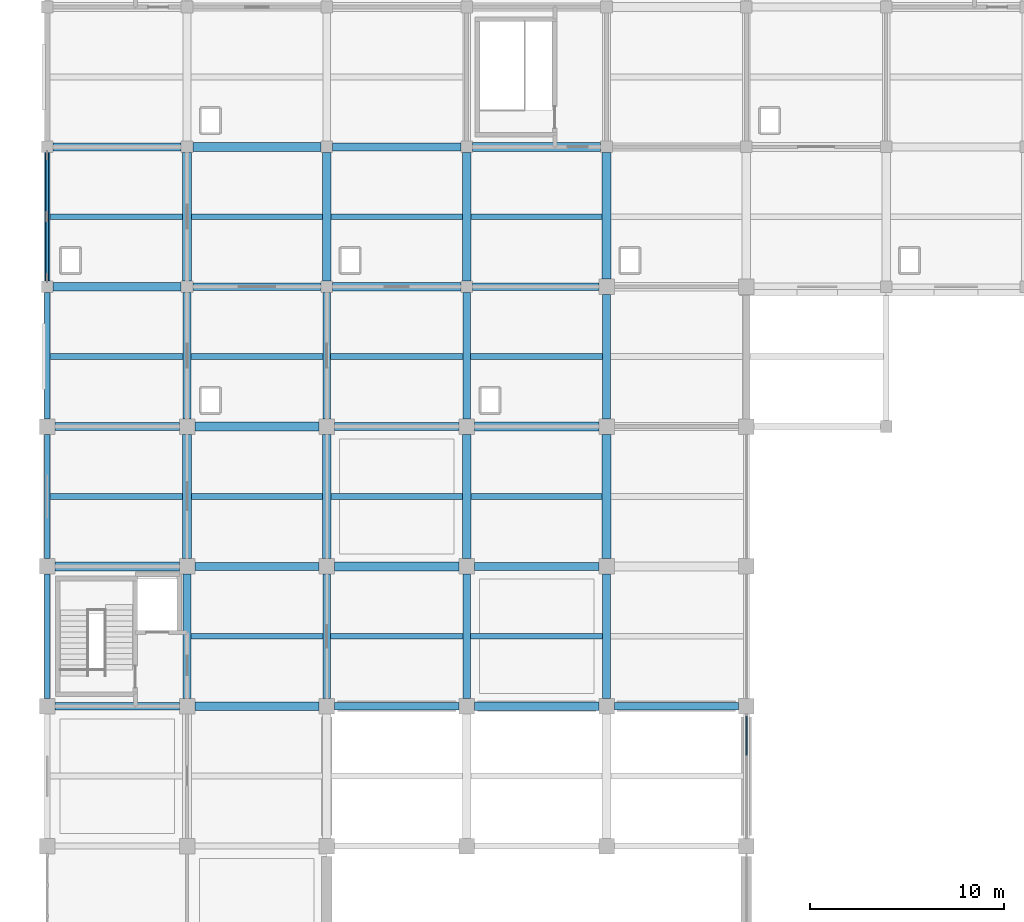
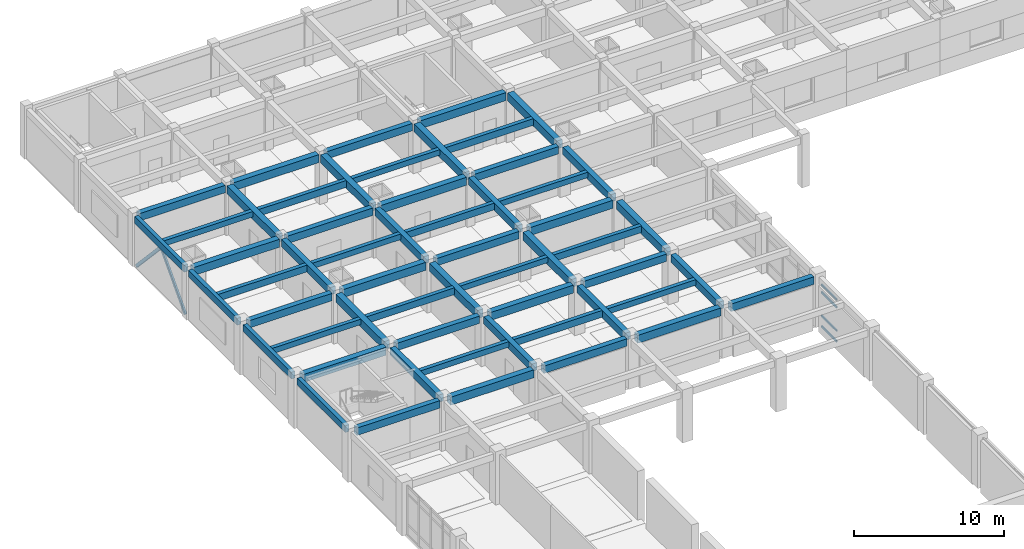
# One storey, part 12 of 70: 56 beams, 6 members, 1 element without a shape of its own.
"""IFC4 building model written with IfcOpenShell, lengths in metres."""

from ifc_helpers import new_model, si_unit, direction, frame, origin, origin_2d, place, context, subcontext, project, spatial, rectangle, hollow_rectangle, extrude, material, layer, layer_set, material_profile, profile_set, type_object, element, aggregate, save


model = new_model("IFC4")

# Units and contexts
model_context = context("Model", 3, precision=1e-05, world=origin(), true_north=direction((0.0, 1.0)))
body_context = subcontext(model_context, "Body", "Model", "MODEL_VIEW")
ifc_project = project(units=[si_unit("LENGTHUNIT", "METRE"), si_unit("AREAUNIT", "SQUARE_METRE"), si_unit("VOLUMEUNIT", "CUBIC_METRE"), si_unit("PLANEANGLEUNIT", "RADIAN"), si_unit("MASSUNIT", "GRAM", prefix="KILO")], contexts=[model_context])

# Site, building, storey
site_placement = place(None, origin())
site = spatial("IfcSite", under=ifc_project, at=site_placement, CompositionType="ELEMENT")
building_placement = place(site_placement, origin())
building = spatial("IfcBuilding", under=site, at=building_placement, Name="Kavelor Marine Aquarium", CompositionType="ELEMENT")
storey_placement = place(building_placement, frame((0.0, 0.0, 9.179931640625)))
storey = spatial("IfcBuildingStorey", under=building, at=storey_placement, Name="L02", CompositionType="ELEMENT", Elevation=9.179931640625)

# Beams
ifc_material_1 = material(Name="Concrete C40/50", Category="concrete")
ifc_material_profile_1 = material_profile(ifc_material_1, rectangle(XDim=0.449951171875, YDim=0.64990234375, at=origin_2d()), Name="RC-BM 450x650")
ifc_profile_set_1 = profile_set([ifc_material_profile_1], Name="Concrete C40/50")
beam_type_1 = type_object("IfcBeamType", Name="BM-B3", PredefinedType="BEAM", material=ifc_profile_set_1)
beam_1_placement = place(storey_placement, frame((3.60009765625, 74.800048828125, 3.695068359375), z_axis=(1.0, 0.0, 0.0), x_axis=(0.0, 1.0, 0.0)))
element("IfcBeam", 1, at=beam_1_placement, inside=storey, type_object=beam_type_1, Name="bm:x:L02:L03:00_10", PredefinedType="BEAM", context=body_context, shape_type="SweptSolid", body=[
    extrude(rectangle(XDim=0.449951171875, YDim=0.64990234375, at=origin_2d()), origin(), (0.0, 0.0, 1.0), 6.39990234375),
])
beam_2_placement = place(storey_placement, frame((3.5, 89.199951171875, 3.715087890625), z_axis=(1.0, 0.0, 0.0), x_axis=(0.0, 1.0, 0.0)))
element("IfcBeam", 2, at=beam_2_placement, inside=storey, type_object=beam_type_1, Name="bm:x:L02:L03:00_12", PredefinedType="BEAM", context=body_context, shape_type="SweptSolid", body=[
    extrude(rectangle(XDim=0.449951171875, YDim=0.64990234375, at=origin_2d()), origin(), (0.0, 0.0, 1.0), 6.60009765625),
])
for number, where, z_axis, x_axis, name in (
    (3, (10.800048828125, 67.60009765625, 3.695068359375), (1.0, 0.0, 0.0), (0.0, 1.0, 0.0), "bm:x:L02:L03:01_09"),
    (4, (10.800048828125, 82.0, 3.715087890625), (1.0, 0.0, 0.0), (0.0, 1.0, 0.0), "bm:x:L02:L03:01_11"),
):
    element("IfcBeam", number, at=place(storey_placement, frame(where, z_axis=z_axis, x_axis=x_axis)), inside=storey, type_object=beam_type_1, Name=name, PredefinedType="BEAM", context=body_context, shape_type="SweptSolid", body=[
        extrude(rectangle(XDim=0.449951171875, YDim=0.64990234375, at=origin_2d()), origin(), (0.0, 0.0, 1.0), 6.39990234375),
    ])
beam_3_placement = place(storey_placement, frame((10.699951171875, 96.39990234375, 3.715087890625), z_axis=(1.0, 0.0, 0.0), x_axis=(0.0, 1.0, 0.0)))
element("IfcBeam", 5, at=beam_3_placement, inside=storey, type_object=beam_type_1, Name="bm:x:L02:L03:01_13", PredefinedType="BEAM", context=body_context, shape_type="SweptSolid", body=[
    extrude(rectangle(XDim=0.449951171875, YDim=0.64990234375, at=origin_2d()), origin(), (0.0, 0.0, 1.0), 6.60009765625),
])
beam_4_placement = place(storey_placement, frame((18.0, 74.800048828125, 3.695068359375), z_axis=(1.0, 0.0, 0.0), x_axis=(0.0, 1.0, 0.0)))
element("IfcBeam", 6, at=beam_4_placement, inside=storey, type_object=beam_type_1, Name="bm:x:L02:L03:02_10", PredefinedType="BEAM", context=body_context, shape_type="SweptSolid", body=[
    extrude(rectangle(XDim=0.449951171875, YDim=0.64990234375, at=origin_2d()), origin(), (0.0, 0.0, 1.0), 6.39990234375),
])
beam_5_placement = place(storey_placement, frame((17.89990234375, 89.199951171875, 3.715087890625), z_axis=(1.0, 0.0, 0.0), x_axis=(0.0, 1.0, 0.0)))
element("IfcBeam", 7, at=beam_5_placement, inside=storey, type_object=beam_type_1, Name="bm:x:L02:L03:02_12", PredefinedType="BEAM", context=body_context, shape_type="SweptSolid", body=[
    extrude(rectangle(XDim=0.449951171875, YDim=0.64990234375, at=origin_2d()), origin(), (0.0, 0.0, 1.0), 6.60009765625),
])
for number, where, z_axis, x_axis, name in (
    (8, (25.199951171875, 67.60009765625, 3.695068359375), (1.0, 0.0, 0.0), (0.0, 1.0, 0.0), "bm:x:L02:L03:03_09"),
    (9, (25.199951171875, 82.0, 3.715087890625), (1.0, 0.0, 0.0), (0.0, 1.0, 0.0), "bm:x:L02:L03:03_11"),
):
    element("IfcBeam", number, at=place(storey_placement, frame(where, z_axis=z_axis, x_axis=x_axis)), inside=storey, type_object=beam_type_1, Name=name, PredefinedType="BEAM", context=body_context, shape_type="SweptSolid", body=[
        extrude(rectangle(XDim=0.449951171875, YDim=0.64990234375, at=origin_2d()), origin(), (0.0, 0.0, 1.0), 6.400146484375),
    ])
beam_6_placement = place(storey_placement, frame((25.10009765625, 96.39990234375, 3.715087890625), z_axis=(1.0, 0.0, 0.0), x_axis=(0.0, 1.0, 0.0)))
element("IfcBeam", 10, at=beam_6_placement, inside=storey, type_object=beam_type_1, Name="bm:x:L02:L03:03_13", PredefinedType="BEAM", context=body_context, shape_type="SweptSolid", body=[
    extrude(rectangle(XDim=0.449951171875, YDim=0.64990234375, at=origin_2d()), origin(), (0.0, 0.0, 1.0), 6.599853515625),
])
beam_7_placement = place(storey_placement, frame((10.39990234375, 75.199951171875, 3.695068359375), z_axis=(0.0, 1.0, 0.0), x_axis=(-1.0, 0.0, 0.0)))
element("IfcBeam", 11, at=beam_7_placement, inside=storey, type_object=beam_type_1, Name="bm:y:L02:L03:01_10", PredefinedType="BEAM", context=body_context, shape_type="SweptSolid", body=[
    extrude(rectangle(XDim=0.449951171875, YDim=0.64990234375, at=origin_2d()), origin(), (0.0, 0.0, 1.0), 6.400146484375),
])
beam_8_placement = place(storey_placement, frame((10.39990234375, 89.5, 3.715087890625), z_axis=(0.0, 1.0, 0.0), x_axis=(-1.0, 0.0, 0.0)))
element("IfcBeam", 12, at=beam_8_placement, inside=storey, type_object=beam_type_1, Name="bm:y:L02:L03:01_12", PredefinedType="BEAM", context=body_context, shape_type="SweptSolid", body=[
    extrude(rectangle(XDim=0.449951171875, YDim=0.64990234375, at=origin_2d()), origin(), (0.0, 0.0, 1.0), 6.60009765625),
])
beam_9_placement = place(storey_placement, frame((17.60009765625, 75.199951171875, 3.695068359375), z_axis=(0.0, 1.0, 0.0), x_axis=(-1.0, 0.0, 0.0)))
element("IfcBeam", 13, at=beam_9_placement, inside=storey, type_object=beam_type_1, Name="bm:y:L02:L03:02_10", PredefinedType="BEAM", context=body_context, shape_type="SweptSolid", body=[
    extrude(rectangle(XDim=0.449951171875, YDim=0.64990234375, at=origin_2d()), origin(), (0.0, 0.0, 1.0), 6.400146484375),
])
beam_10_placement = place(storey_placement, frame((17.60009765625, 89.5, 3.715087890625), z_axis=(0.0, 1.0, 0.0), x_axis=(-1.0, 0.0, 0.0)))
element("IfcBeam", 14, at=beam_10_placement, inside=storey, type_object=beam_type_1, Name="bm:y:L02:L03:02_12", PredefinedType="BEAM", context=body_context, shape_type="SweptSolid", body=[
    extrude(rectangle(XDim=0.449951171875, YDim=0.64990234375, at=origin_2d()), origin(), (0.0, 0.0, 1.0), 6.60009765625),
])
beam_11_placement = place(storey_placement, frame((24.800048828125, 75.199951171875, 3.695068359375), z_axis=(0.0, 1.0, 0.0), x_axis=(-1.0, 0.0, 0.0)))
element("IfcBeam", 15, at=beam_11_placement, inside=storey, type_object=beam_type_1, Name="bm:y:L02:L03:03_10", PredefinedType="BEAM", context=body_context, shape_type="SweptSolid", body=[
    extrude(rectangle(XDim=0.449951171875, YDim=0.64990234375, at=origin_2d()), origin(), (0.0, 0.0, 1.0), 6.400146484375),
])
beam_12_placement = place(storey_placement, frame((24.800048828125, 89.5, 3.715087890625), z_axis=(0.0, 1.0, 0.0), x_axis=(-1.0, 0.0, 0.0)))
element("IfcBeam", 16, at=beam_12_placement, inside=storey, type_object=beam_type_1, Name="bm:y:L02:L03:03_12", PredefinedType="BEAM", context=body_context, shape_type="SweptSolid", body=[
    extrude(rectangle(XDim=0.449951171875, YDim=0.64990234375, at=origin_2d()), origin(), (0.0, 0.0, 1.0), 6.60009765625),
])
beam_13_placement = place(storey_placement, frame((32.0, 75.199951171875, 3.695068359375), z_axis=(0.0, 1.0, 0.0), x_axis=(-1.0, 0.0, 0.0)))
element("IfcBeam", 17, at=beam_13_placement, inside=storey, type_object=beam_type_1, Name="bm:y:L02:L03:04_10", PredefinedType="BEAM", context=body_context, shape_type="SweptSolid", body=[
    extrude(rectangle(XDim=0.449951171875, YDim=0.64990234375, at=origin_2d()), origin(), (0.0, 0.0, 1.0), 6.400146484375),
])
beam_14_placement = place(storey_placement, frame((32.0, 89.60009765625, 3.715087890625), z_axis=(0.0, 1.0, 0.0), x_axis=(-1.0, 0.0, 0.0)))
element("IfcBeam", 18, at=beam_14_placement, inside=storey, type_object=beam_type_1, Name="bm:y:L02:L03:04_12", PredefinedType="BEAM", context=body_context, shape_type="SweptSolid", body=[
    extrude(rectangle(XDim=0.449951171875, YDim=0.64990234375, at=origin_2d()), origin(), (0.0, 0.0, 1.0), 6.5),
])
ifc_material_2 = material(Name="Concrete C40/50", Category="concrete")
ifc_material_profile_2 = material_profile(ifc_material_2, rectangle(XDim=0.39990234375, YDim=0.60009765625, at=origin_2d()), Name="RC-BM 400x600")
ifc_profile_set_2 = profile_set([ifc_material_profile_2], Name="Concrete C40/50")
beam_type_2 = type_object("IfcBeamType", Name="BM-B4", PredefinedType="BEAM", material=ifc_profile_set_2)
for number, where, z_axis, x_axis, name in (
    (19, (3.60009765625, 67.60009765625, 3.719970703125), (1.0, 0.0, 0.0), (0.0, 1.0, 0.0), "bm:x:L02:L03:00_09"),
    (20, (3.60009765625, 82.0, 3.719970703125), (1.0, 0.0, 0.0), (0.0, 1.0, 0.0), "bm:x:L02:L03:00_11"),
):
    element("IfcBeam", number, at=place(storey_placement, frame(where, z_axis=z_axis, x_axis=x_axis)), inside=storey, type_object=beam_type_2, Name=name, PredefinedType="BEAM", context=body_context, shape_type="SweptSolid", body=[
        extrude(rectangle(XDim=0.39990234375, YDim=0.60009765625, at=origin_2d()), origin(), (0.0, 0.0, 1.0), 6.39990234375),
    ])
beam_15_placement = place(storey_placement, frame((3.5, 96.39990234375, 3.739990234375), z_axis=(1.0, 0.0, 0.0), x_axis=(0.0, 1.0, 0.0)))
element("IfcBeam", 21, at=beam_15_placement, inside=storey, type_object=beam_type_2, Name="bm:x:L02:L03:00_13", PredefinedType="BEAM", context=body_context, shape_type="SweptSolid", body=[
    extrude(rectangle(XDim=0.39990234375, YDim=0.60009765625, at=origin_2d()), origin(), (0.0, 0.0, 1.0), 6.60009765625),
])
beam_16_placement = place(storey_placement, frame((10.800048828125, 74.800048828125, 3.719970703125), z_axis=(1.0, 0.0, 0.0), x_axis=(0.0, 1.0, 0.0)))
element("IfcBeam", 22, at=beam_16_placement, inside=storey, type_object=beam_type_2, Name="bm:x:L02:L03:01_10", PredefinedType="BEAM", context=body_context, shape_type="SweptSolid", body=[
    extrude(rectangle(XDim=0.39990234375, YDim=0.60009765625, at=origin_2d()), origin(), (0.0, 0.0, 1.0), 6.39990234375),
])
beam_17_placement = place(storey_placement, frame((10.699951171875, 89.199951171875, 3.739990234375), z_axis=(1.0, 0.0, 0.0), x_axis=(0.0, 1.0, 0.0)))
element("IfcBeam", 23, at=beam_17_placement, inside=storey, type_object=beam_type_2, Name="bm:x:L02:L03:01_12", PredefinedType="BEAM", context=body_context, shape_type="SweptSolid", body=[
    extrude(rectangle(XDim=0.39990234375, YDim=0.60009765625, at=origin_2d()), origin(), (0.0, 0.0, 1.0), 6.60009765625),
])
for number, where, z_axis, x_axis, name in (
    (24, (18.0, 67.60009765625, 3.719970703125), (1.0, 0.0, 0.0), (0.0, 1.0, 0.0), "bm:x:L02:L03:02_09"),
    (25, (18.0, 82.0, 3.719970703125), (1.0, 0.0, 0.0), (0.0, 1.0, 0.0), "bm:x:L02:L03:02_11"),
):
    element("IfcBeam", number, at=place(storey_placement, frame(where, z_axis=z_axis, x_axis=x_axis)), inside=storey, type_object=beam_type_2, Name=name, PredefinedType="BEAM", context=body_context, shape_type="SweptSolid", body=[
        extrude(rectangle(XDim=0.39990234375, YDim=0.60009765625, at=origin_2d()), origin(), (0.0, 0.0, 1.0), 6.39990234375),
    ])
beam_18_placement = place(storey_placement, frame((17.89990234375, 96.39990234375, 3.739990234375), z_axis=(1.0, 0.0, 0.0), x_axis=(0.0, 1.0, 0.0)))
element("IfcBeam", 26, at=beam_18_placement, inside=storey, type_object=beam_type_2, Name="bm:x:L02:L03:02_13", PredefinedType="BEAM", context=body_context, shape_type="SweptSolid", body=[
    extrude(rectangle(XDim=0.39990234375, YDim=0.60009765625, at=origin_2d()), origin(), (0.0, 0.0, 1.0), 6.60009765625),
])
beam_19_placement = place(storey_placement, frame((25.199951171875, 74.800048828125, 3.719970703125), z_axis=(1.0, 0.0, 0.0), x_axis=(0.0, 1.0, 0.0)))
element("IfcBeam", 27, at=beam_19_placement, inside=storey, type_object=beam_type_2, Name="bm:x:L02:L03:03_10", PredefinedType="BEAM", context=body_context, shape_type="SweptSolid", body=[
    extrude(rectangle(XDim=0.39990234375, YDim=0.60009765625, at=origin_2d()), origin(), (0.0, 0.0, 1.0), 6.400146484375),
])
beam_20_placement = place(storey_placement, frame((25.10009765625, 89.199951171875, 3.739990234375), z_axis=(1.0, 0.0, 0.0), x_axis=(0.0, 1.0, 0.0)))
element("IfcBeam", 28, at=beam_20_placement, inside=storey, type_object=beam_type_2, Name="bm:x:L02:L03:03_12", PredefinedType="BEAM", context=body_context, shape_type="SweptSolid", body=[
    extrude(rectangle(XDim=0.39990234375, YDim=0.60009765625, at=origin_2d()), origin(), (0.0, 0.0, 1.0), 6.5),
])
beam_21_placement = place(storey_placement, frame((32.39990234375, 67.60009765625, 3.719970703125), z_axis=(1.0, 0.0, 0.0), x_axis=(0.0, 1.0, 0.0)))
element("IfcBeam", 29, at=beam_21_placement, inside=storey, type_object=beam_type_2, Name="bm:x:L02:L03:04_09", PredefinedType="BEAM", context=body_context, shape_type="SweptSolid", body=[
    extrude(rectangle(XDim=0.39990234375, YDim=0.60009765625, at=origin_2d()), origin(), (0.0, 0.0, 1.0), 6.400146484375),
])
beam_22_placement = place(storey_placement, frame((10.39990234375, 68.0, 3.719970703125), z_axis=(0.0, 1.0, 0.0), x_axis=(-1.0, 0.0, 0.0)))
element("IfcBeam", 30, at=beam_22_placement, inside=storey, type_object=beam_type_2, Name="bm:y:L02:L03:01_09", PredefinedType="BEAM", context=body_context, shape_type="SweptSolid", body=[
    extrude(rectangle(XDim=0.39990234375, YDim=0.60009765625, at=origin_2d()), origin(), (0.0, 0.0, 1.0), 6.39990234375),
])
beam_23_placement = place(storey_placement, frame((10.39990234375, 82.39990234375, 3.739990234375), z_axis=(0.0, 1.0, 0.0), x_axis=(-1.0, 0.0, 0.0)))
element("IfcBeam", 31, at=beam_23_placement, inside=storey, type_object=beam_type_2, Name="bm:y:L02:L03:01_11", PredefinedType="BEAM", context=body_context, shape_type="SweptSolid", body=[
    extrude(rectangle(XDim=0.39990234375, YDim=0.60009765625, at=origin_2d()), origin(), (0.0, 0.0, 1.0), 6.5),
])
beam_24_placement = place(storey_placement, frame((17.60009765625, 68.0, 3.719970703125), z_axis=(0.0, 1.0, 0.0), x_axis=(-1.0, 0.0, 0.0)))
element("IfcBeam", 32, at=beam_24_placement, inside=storey, type_object=beam_type_2, Name="bm:y:L02:L03:02_09", PredefinedType="BEAM", context=body_context, shape_type="SweptSolid", body=[
    extrude(rectangle(XDim=0.39990234375, YDim=0.60009765625, at=origin_2d()), origin(), (0.0, 0.0, 1.0), 6.39990234375),
])
beam_25_placement = place(storey_placement, frame((17.60009765625, 82.39990234375, 3.739990234375), z_axis=(0.0, 1.0, 0.0), x_axis=(-1.0, 0.0, 0.0)))
element("IfcBeam", 33, at=beam_25_placement, inside=storey, type_object=beam_type_2, Name="bm:y:L02:L03:02_11", PredefinedType="BEAM", context=body_context, shape_type="SweptSolid", body=[
    extrude(rectangle(XDim=0.39990234375, YDim=0.60009765625, at=origin_2d()), origin(), (0.0, 0.0, 1.0), 6.5),
])
beam_26_placement = place(storey_placement, frame((24.800048828125, 68.0, 3.719970703125), z_axis=(0.0, 1.0, 0.0), x_axis=(-1.0, 0.0, 0.0)))
element("IfcBeam", 34, at=beam_26_placement, inside=storey, type_object=beam_type_2, Name="bm:y:L02:L03:03_09", PredefinedType="BEAM", context=body_context, shape_type="SweptSolid", body=[
    extrude(rectangle(XDim=0.39990234375, YDim=0.60009765625, at=origin_2d()), origin(), (0.0, 0.0, 1.0), 6.39990234375),
])
beam_27_placement = place(storey_placement, frame((24.800048828125, 82.39990234375, 3.739990234375), z_axis=(0.0, 1.0, 0.0), x_axis=(-1.0, 0.0, 0.0)))
element("IfcBeam", 35, at=beam_27_placement, inside=storey, type_object=beam_type_2, Name="bm:y:L02:L03:03_11", PredefinedType="BEAM", context=body_context, shape_type="SweptSolid", body=[
    extrude(rectangle(XDim=0.39990234375, YDim=0.60009765625, at=origin_2d()), origin(), (0.0, 0.0, 1.0), 6.5),
])
beam_28_placement = place(storey_placement, frame((32.0, 68.0, 3.719970703125), z_axis=(0.0, 1.0, 0.0), x_axis=(-1.0, 0.0, 0.0)))
element("IfcBeam", 36, at=beam_28_placement, inside=storey, type_object=beam_type_2, Name="bm:y:L02:L03:04_09", PredefinedType="BEAM", context=body_context, shape_type="SweptSolid", body=[
    extrude(rectangle(XDim=0.39990234375, YDim=0.60009765625, at=origin_2d()), origin(), (0.0, 0.0, 1.0), 6.39990234375),
])
beam_29_placement = place(storey_placement, frame((32.0, 82.39990234375, 3.739990234375), z_axis=(0.0, 1.0, 0.0), x_axis=(-1.0, 0.0, 0.0)))
element("IfcBeam", 37, at=beam_29_placement, inside=storey, type_object=beam_type_2, Name="bm:y:L02:L03:04_11", PredefinedType="BEAM", context=body_context, shape_type="SweptSolid", body=[
    extrude(rectangle(XDim=0.39990234375, YDim=0.60009765625, at=origin_2d()), origin(), (0.0, 0.0, 1.0), 6.400146484375),
])
ifc_material_3 = material(Name="Concrete C40/50", Category="concrete")
ifc_material_profile_3 = material_profile(ifc_material_3, rectangle(XDim=0.300048828125, YDim=0.449951171875, at=origin_2d()), Name="RC-JS 300x450")
ifc_profile_set_3 = profile_set([ifc_material_profile_3], Name="Concrete C40/50")
beam_type_3 = type_object("IfcBeamType", Name="BM-JS1", PredefinedType="JOIST", material=ifc_profile_set_3)
for number, where, z_axis, x_axis, name in (
    (38, (3.35009765625, 78.39990234375, 3.795166015625), (1.0, 0.0, 0.0), (0.0, 1.0, 0.0), "js:L02:L03:00_10"),
    (39, (3.35009765625, 92.800048828125, 3.815185546875), (1.0, 0.0, 0.0), (0.0, 1.0, 0.0), "js:L02:L03:00_12"),
):
    element("IfcBeam", number, at=place(storey_placement, frame(where, z_axis=z_axis, x_axis=x_axis)), inside=storey, type_object=beam_type_3, Name=name, PredefinedType="JOIST", context=body_context, shape_type="SweptSolid", body=[
        extrude(rectangle(XDim=0.300048828125, YDim=0.449951171875, at=origin_2d()), origin(), (0.0, 0.0, 1.0), 6.824951171875),
    ])
for number, where, z_axis, x_axis, name in (
    (40, (10.60009765625, 71.199951171875, 3.795166015625), (1.0, 0.0, 0.0), (0.0, 1.0, 0.0), "js:L02:L03:01_09"),
    (41, (10.60009765625, 85.60009765625, 3.815185546875), (1.0, 0.0, 0.0), (0.0, 1.0, 0.0), "js:L02:L03:01_11"),
):
    element("IfcBeam", number, at=place(storey_placement, frame(where, z_axis=z_axis, x_axis=x_axis)), inside=storey, type_object=beam_type_3, Name=name, PredefinedType="JOIST", context=body_context, shape_type="SweptSolid", body=[
        extrude(rectangle(XDim=0.300048828125, YDim=0.449951171875, at=origin_2d()), origin(), (0.0, 0.0, 1.0), 6.7998046875),
    ])
for number, where, z_axis, x_axis, name in (
    (42, (17.824951171875, 78.39990234375, 3.795166015625), (1.0, 0.0, 0.0), (0.0, 1.0, 0.0), "js:L02:L03:02_10"),
    (43, (17.824951171875, 92.800048828125, 3.815185546875), (1.0, 0.0, 0.0), (0.0, 1.0, 0.0), "js:L02:L03:02_12"),
):
    element("IfcBeam", number, at=place(storey_placement, frame(where, z_axis=z_axis, x_axis=x_axis)), inside=storey, type_object=beam_type_3, Name=name, PredefinedType="JOIST", context=body_context, shape_type="SweptSolid", body=[
        extrude(rectangle(XDim=0.300048828125, YDim=0.449951171875, at=origin_2d()), origin(), (0.0, 0.0, 1.0), 6.75),
    ])
for number, where, z_axis, x_axis, name in (
    (44, (25.0, 71.199951171875, 3.795166015625), (1.0, 0.0, 0.0), (0.0, 1.0, 0.0), "js:L02:L03:03_09"),
    (45, (25.0, 85.60009765625, 3.815185546875), (1.0, 0.0, 0.0), (0.0, 1.0, 0.0), "js:L02:L03:03_11"),
):
    element("IfcBeam", number, at=place(storey_placement, frame(where, z_axis=z_axis, x_axis=x_axis)), inside=storey, type_object=beam_type_3, Name=name, PredefinedType="JOIST", context=body_context, shape_type="SweptSolid", body=[
        extrude(rectangle(XDim=0.300048828125, YDim=0.449951171875, at=origin_2d()), origin(), (0.0, 0.0, 1.0), 6.800048828125),
    ])
ifc_material_4 = material(Name="Concrete C40/50", Category="concrete")
ifc_material_profile_4 = material_profile(ifc_material_4, rectangle(XDim=0.300048828125, YDim=0.550048828125, at=origin_2d()), Name="RC-JS 300x550")
ifc_profile_set_4 = profile_set([ifc_material_profile_4], Name="Concrete C40/50")
beam_type_4 = type_object("IfcBeamType", Name="BM-JS2", PredefinedType="JOIST", material=ifc_profile_set_4)
beam_30_placement = place(storey_placement, frame((3.35009765625, 85.60009765625, 3.76513671875), z_axis=(1.0, 0.0, 0.0), x_axis=(0.0, 1.0, 0.0)))
element("IfcBeam", 46, at=beam_30_placement, inside=storey, type_object=beam_type_4, Name="js:L02:L03:00_11", PredefinedType="JOIST", context=body_context, shape_type="SweptSolid", body=[
    extrude(rectangle(XDim=0.300048828125, YDim=0.550048828125, at=origin_2d()), origin(), (0.0, 0.0, 1.0), 6.849853515625),
])
for number, where, z_axis, x_axis, name in (
    (47, (10.625, 78.39990234375, 3.76513671875), (1.0, 0.0, 0.0), (0.0, 1.0, 0.0), "js:L02:L03:01_10"),
    (48, (10.625, 92.800048828125, 3.76513671875), (1.0, 0.0, 0.0), (0.0, 1.0, 0.0), "js:L02:L03:01_12"),
):
    element("IfcBeam", number, at=place(storey_placement, frame(where, z_axis=z_axis, x_axis=x_axis)), inside=storey, type_object=beam_type_4, Name=name, PredefinedType="JOIST", context=body_context, shape_type="SweptSolid", body=[
        extrude(rectangle(XDim=0.300048828125, YDim=0.550048828125, at=origin_2d()), origin(), (0.0, 0.0, 1.0), 6.75),
    ])
for number, where, z_axis, x_axis, name in (
    (49, (17.800048828125, 71.199951171875, 3.76513671875), (1.0, 0.0, 0.0), (0.0, 1.0, 0.0), "js:L02:L03:02_09"),
    (50, (17.800048828125, 85.60009765625, 3.76513671875), (1.0, 0.0, 0.0), (0.0, 1.0, 0.0), "js:L02:L03:02_11"),
):
    element("IfcBeam", number, at=place(storey_placement, frame(where, z_axis=z_axis, x_axis=x_axis)), inside=storey, type_object=beam_type_4, Name=name, PredefinedType="JOIST", context=body_context, shape_type="SweptSolid", body=[
        extrude(rectangle(XDim=0.300048828125, YDim=0.550048828125, at=origin_2d()), origin(), (0.0, 0.0, 1.0), 6.800048828125),
    ])
for number, where, z_axis, x_axis, name in (
    (51, (25.02490234375, 78.39990234375, 3.76513671875), (1.0, 0.0, 0.0), (0.0, 1.0, 0.0), "js:L02:L03:03_10"),
    (52, (25.02490234375, 92.800048828125, 3.76513671875), (1.0, 0.0, 0.0), (0.0, 1.0, 0.0), "js:L02:L03:03_12"),
):
    element("IfcBeam", number, at=place(storey_placement, frame(where, z_axis=z_axis, x_axis=x_axis)), inside=storey, type_object=beam_type_4, Name=name, PredefinedType="JOIST", context=body_context, shape_type="SweptSolid", body=[
        extrude(rectangle(XDim=0.300048828125, YDim=0.550048828125, at=origin_2d()), origin(), (0.0, 0.0, 1.0), 6.75),
    ])
ifc_material_5 = material(Name="Concrete C40/50", Category="concrete")
ifc_material_profile_5 = material_profile(ifc_material_5, rectangle(XDim=0.300048828125, YDim=0.550048828125, at=origin_2d()), Name="RC-SP 300x550")
ifc_profile_set_5 = profile_set([ifc_material_profile_5], Name="Concrete C40/50")
beam_type_5 = type_object("IfcBeamType", Name="BM-SP2", PredefinedType="SPANDREL", material=ifc_profile_set_5)
beam_31_placement = place(storey_placement, frame((3.199951171875, 68.0, 3.76513671875), z_axis=(0.0, 1.0, 0.0), x_axis=(-1.0, 0.0, 0.0)))
element("IfcBeam", 53, at=beam_31_placement, inside=storey, type_object=beam_type_5, Name="bm:y:L02:L03:00_09", PredefinedType="SPANDREL", context=body_context, shape_type="SweptSolid", body=[
    extrude(rectangle(XDim=0.300048828125, YDim=0.550048828125, at=origin_2d()), origin(), (0.0, 0.0, 1.0), 6.39990234375),
])
beam_32_placement = place(storey_placement, frame((3.199951171875, 75.199951171875, 3.7451171875), z_axis=(0.0, 1.0, 0.0), x_axis=(-1.0, 0.0, 0.0)))
element("IfcBeam", 54, at=beam_32_placement, inside=storey, type_object=beam_type_5, Name="bm:y:L02:L03:00_10", PredefinedType="SPANDREL", context=body_context, shape_type="SweptSolid", body=[
    extrude(rectangle(XDim=0.300048828125, YDim=0.550048828125, at=origin_2d()), origin(), (0.0, 0.0, 1.0), 6.400146484375),
])
beam_33_placement = place(storey_placement, frame((3.199951171875, 82.39990234375, 3.76513671875), z_axis=(0.0, 1.0, 0.0), x_axis=(-1.0, 0.0, 0.0)))
element("IfcBeam", 55, at=beam_33_placement, inside=storey, type_object=beam_type_5, Name="bm:y:L02:L03:00_11", PredefinedType="SPANDREL", context=body_context, shape_type="SweptSolid", body=[
    extrude(rectangle(XDim=0.300048828125, YDim=0.550048828125, at=origin_2d()), origin(), (0.0, 0.0, 1.0), 6.5),
])
beam_34_placement = place(storey_placement, frame((3.199951171875, 89.5, 3.76513671875), z_axis=(0.0, 1.0, 0.0), x_axis=(-1.0, 0.0, 0.0)))
element("IfcBeam", 56, at=beam_34_placement, inside=storey, type_object=beam_type_5, Name="bm:y:L02:L03:00_12", PredefinedType="SPANDREL", context=body_context, shape_type="SweptSolid", body=[
    extrude(rectangle(XDim=0.300048828125, YDim=0.550048828125, at=origin_2d()), origin(), (0.0, 0.0, 1.0), 6.60009765625),
])

# Curtain wall, members
ifc_material_6 = material(Name="Thermally Broken Aluminium and Low-E Glass", Category="aluminium")
ifc_layer = layer(ifc_material_6, 0.30810546875)
ifc_layer_set = layer_set([ifc_layer], Name="CW-SYS21")
curtain_wall_type = type_object("IfcCurtainWallType", Name="CW-SYS21", PredefinedType="USERDEFINED", material=ifc_layer_set)
curtain_wall_placement = place(storey_placement, origin())
curtain_wall = element("IfcCurtainWall", 57, at=curtain_wall_placement, inside=storey, type_object=curtain_wall_type, Name="cw:y:L02:05_08", ObjectType="Curtain Wall", PredefinedType="USERDEFINED")
ifc_material_7 = material(Name="Anodised Aluminium Alloy 6063-T6", Category="aluminium")
ifc_material_profile_6 = material_profile(ifc_material_7, rectangle(XDim=0.080078125, YDim=0.155029296875, at=origin_2d()), Name="CW-TRN 80x155")
ifc_profile_set_6 = profile_set([ifc_material_profile_6], Name="Anodised Aluminium Alloy 6063-T6")
member_type_1 = type_object("IfcMemberType", Name="CWT-2", PredefinedType="USERDEFINED", material=ifc_profile_set_6)
member_1_placement = place(storey_placement, frame((39.199951171875, 65.081787109375, 0.032470703125), z_axis=(0.0, 1.0, 0.0), x_axis=(-1.0, 0.0, 0.0)))
member_1 = element("IfcMember", 58, at=member_1_placement, type_object=member_type_1, Name="CW21 transom 3.1", ObjectType="TRANSOM", PredefinedType="USERDEFINED", context=body_context, shape_type="SweptSolid", body=[
    extrude(rectangle(XDim=0.080078125, YDim=0.155029296875, at=origin_2d()), origin(), (0.0, 0.0, 1.0), 2.01318359375),
])
member_2_placement = place(storey_placement, frame((39.199951171875, 65.081787109375, 0.900146484375), z_axis=(0.0, 1.0, 0.0), x_axis=(-1.0, 0.0, 0.0)))
member_2 = element("IfcMember", 59, at=member_2_placement, type_object=member_type_1, Name="CW21 transom 3.2", ObjectType="TRANSOM", PredefinedType="USERDEFINED", context=body_context, shape_type="SweptSolid", body=[
    extrude(rectangle(XDim=0.080078125, YDim=0.155029296875, at=origin_2d()), origin(), (0.0, 0.0, 1.0), 2.01318359375),
])
member_3_placement = place(storey_placement, frame((39.199951171875, 65.081787109375, 2.81005859375), z_axis=(0.0, 1.0, 0.0), x_axis=(-1.0, 0.0, 0.0)))
member_3 = element("IfcMember", 60, at=member_3_placement, type_object=member_type_1, Name="CW21 transom 3.3", ObjectType="TRANSOM", PredefinedType="USERDEFINED", context=body_context, shape_type="SweptSolid", body=[
    extrude(rectangle(XDim=0.080078125, YDim=0.155029296875, at=origin_2d()), origin(), (0.0, 0.0, 1.0), 2.01318359375),
])
member_4_placement = place(storey_placement, frame((39.199951171875, 65.081787109375, 3.427490234375), z_axis=(0.0, 1.0, 0.0), x_axis=(-1.0, 0.0, 0.0)))
member_4 = element("IfcMember", 61, at=member_4_placement, type_object=member_type_1, Name="CW21 transom 3.4", ObjectType="TRANSOM", PredefinedType="USERDEFINED", context=body_context, shape_type="SweptSolid", body=[
    extrude(rectangle(XDim=0.080078125, YDim=0.155029296875, at=origin_2d()), origin(), (0.0, 0.0, 1.0), 2.01318359375),
])
aggregate(curtain_wall, [member_1, member_2, member_3, member_4])

# Members
ifc_material_8 = material(Name="Steel S355", Category="steel")
ifc_material_profile_7 = material_profile(ifc_material_8, hollow_rectangle(XDim=0.14990234375, YDim=0.25, WallThickness=0.008056640625, InnerFilletRadius=0.011962890625, OuterFilletRadius=0.02001953125, at=origin_2d()), Name="RHS 250x150x8.0")
ifc_profile_set_7 = profile_set([ifc_material_profile_7], Name="Steel S355")
member_type_2 = type_object("IfcMemberType", Name="ST-BR7", PredefinedType="BRACE", material=ifc_profile_set_7)
for number, where, z_axis, x_axis, name in (
    (62, (3.199951171875, 89.550048828125, 0.0), (0.0, 0.681497010884, 0.731820896228), (-1.0, 0.0, 0.0), "sbr:a:2"),
    (63, (3.199951171875, 96.050048828125, 0.0), (0.0, -0.681497010884, 0.731820896228), (1.0, 0.0, 0.0), "sbr:b:2"),
):
    element("IfcMember", number, at=place(storey_placement, frame(where, z_axis=z_axis, x_axis=x_axis)), inside=storey, type_object=member_type_2, Name=name, PredefinedType="BRACE", context=body_context, shape_type="SweptSolid", body=[
        extrude(hollow_rectangle(XDim=0.14990234375, YDim=0.25, WallThickness=0.008056640625, InnerFilletRadius=0.011962890625, OuterFilletRadius=0.02001953125, at=origin_2d()), origin(), (0.0, 0.0, 1.0), 4.768798828125),
    ])

save(model, "model.ifc")
